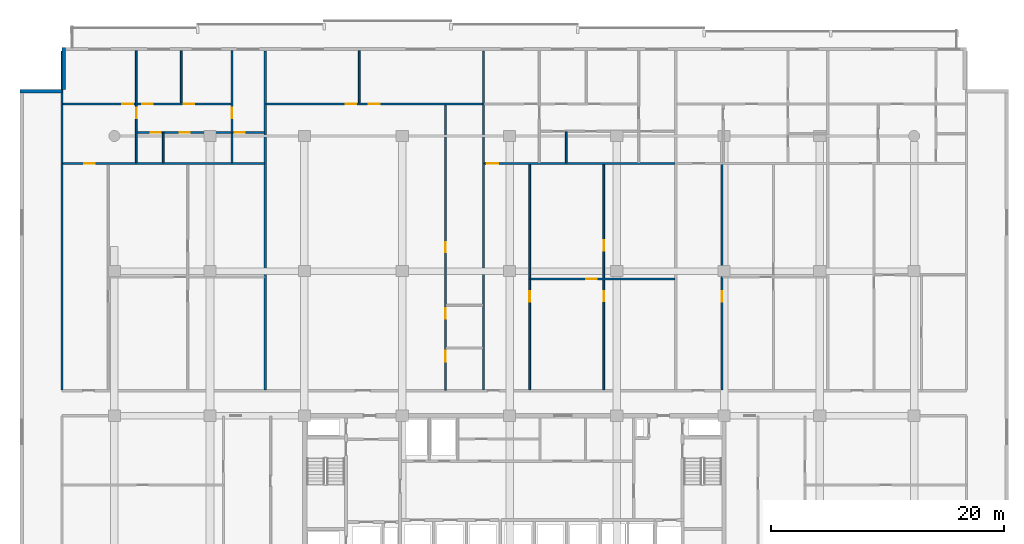
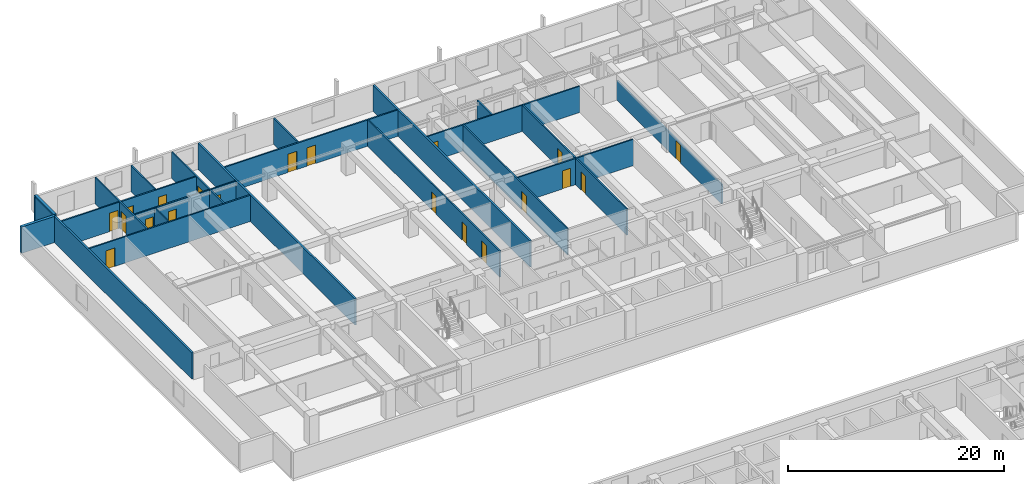
# One storey, part 14 of 23: 22 walls, 20 doors, 20 openings.
"""IFC4 building model written with IfcOpenShell, lengths in metres."""

import ifcopenshell
import ifcopenshell.guid

model = None  # the IFC model being written
_history = None  # IfcOwnerHistory: only IFC2X3 demands one
_inside = {}  # id of a spatial element -> (the spatial element, [elements in it])
_under = {}  # id of a project, library or spatial element -> (it, [spatial elements below it])
_declared = {}  # id of a project -> (the project, [libraries it declares])
_typed = {}  # id of a type object -> (the type object, [elements of that type])
_made_of = {}  # id of a material, layer set ... -> (it, [elements and type objects made of it])


def new_model(schema):
    """Start an empty IFC model of exactly this schema.

    Asked for "IFC4X3", IfcOpenShell would pick the latest addendum, in which some entities
    have other attributes; the version numbers below select the first issue.
    IFC2X3 requires an IfcOwnerHistory on every rooted entity: one is made here for all.
    """
    global model, _history
    if schema == "IFC4X3":
        model = ifcopenshell.file(schema_version=(4, 3, 0, 0))
    else:
        model = ifcopenshell.file(schema=schema)
    _inside.clear()
    _under.clear()
    _declared.clear()
    _typed.clear()
    _made_of.clear()
    _history = None
    if model.schema == "IFC2X3":
        org = make("IfcOrganization", Name="unknown")
        user = make(
            "IfcPersonAndOrganization",
            ThePerson=make("IfcPerson", FamilyName="unknown"),
            TheOrganization=org,
        )
        app = make(
            "IfcApplication",
            ApplicationDeveloper=org,
            Version="unknown",
            ApplicationFullName="unknown",
            ApplicationIdentifier="unknown",
        )
        _history = make(
            "IfcOwnerHistory",
            OwningUser=user,
            OwningApplication=app,
            ChangeAction="ADDED",
            CreationDate=0,
        )
    return model


def make(cls, **values):
    """One entity of the class cls with the attributes given. An attribute that is None is left unset."""
    return model.create_entity(
        cls, **{name: value for name, value in values.items() if value is not None}
    )


def rooted(cls, **values):
    """An entity with a GlobalId (a new one), such as an element, a storey or a relation."""
    return make(cls, GlobalId=ifcopenshell.guid.new(), OwnerHistory=_history, **values)


def si_unit(unit_type, name, prefix=None):
    """IfcSIUnit, for example si_unit("LENGTHUNIT", "METRE", prefix="MILLI")."""
    return make("IfcSIUnit", UnitType=unit_type, Prefix=prefix, Name=name)


def assignment(units):
    """IfcUnitAssignment: the units of a project."""
    return None if units is None else make("IfcUnitAssignment", Units=units)


def point(xyz):
    """IfcCartesianPoint."""
    return None if xyz is None else make("IfcCartesianPoint", Coordinates=xyz)


def direction(xyz):
    """IfcDirection."""
    return None if xyz is None else make("IfcDirection", DirectionRatios=xyz)


def frame(location, z_axis=None, x_axis=None):
    """IfcAxis2Placement3D, a coordinate frame: its origin and axes. An axis left out is left unset."""
    return make(
        "IfcAxis2Placement3D",
        Location=point(location),
        Axis=direction(z_axis),
        RefDirection=direction(x_axis),
    )


def frame_2d(location, x_axis=None):
    """IfcAxis2Placement2D, a coordinate frame in the plane: its origin and x axis."""
    return make(
        "IfcAxis2Placement2D", Location=point(location), RefDirection=direction(x_axis)
    )


def origin():
    """The frame at (0, 0, 0) with its axes left unset."""
    return frame((0.0, 0.0, 0.0))


def place(relative_to, where):
    """IfcLocalPlacement: puts the frame where relative to a parent placement (None: the world)."""
    return make(
        "IfcLocalPlacement", PlacementRelTo=relative_to, RelativePlacement=where
    )


def context(
    kind, dimensions, precision=None, world=None, true_north=None, identifier=None
):
    """IfcGeometricRepresentationContext, for example the 3D "Model" context."""
    return make(
        "IfcGeometricRepresentationContext",
        ContextIdentifier=identifier,
        ContextType=kind,
        CoordinateSpaceDimension=dimensions,
        Precision=precision,
        WorldCoordinateSystem=world,
        TrueNorth=true_north,
    )


def subcontext(parent, identifier, kind, view, scale=None):
    """IfcGeometricRepresentationSubContext, for example "Body" below "Model"."""
    return make(
        "IfcGeometricRepresentationSubContext",
        ContextIdentifier=identifier,
        ContextType=kind,
        ParentContext=parent,
        TargetScale=scale,
        TargetView=view,
    )


def project(units=None, contexts=None):
    """IfcProject with its units and contexts."""
    return rooted(
        "IfcProject",
        Name="project",
        RepresentationContexts=contexts,
        UnitsInContext=assignment(units),
    )


def spatial(cls, under=None, at=None, **own):
    """A site, building, storey or space (cls), placed at a placement, below another one or the project."""
    s = rooted(cls, ObjectPlacement=at, **own)
    if under is not None:
        _under.setdefault(under.id(), (under, []))[1].append(s)
    return s


def profile(cls, at=None, kind="AREA", **sizes):
    """A parametric profile (cls). Its sizes go by their IFC names, for example OverallWidth=200.0."""
    return make(cls, ProfileType=kind, Position=at, **sizes)


def rectangle(**sizes):
    """IfcRectangleProfileDef."""
    return profile("IfcRectangleProfileDef", **sizes)


def extrude(swept, where, along, depth):
    """IfcExtrudedAreaSolid: the profile swept, set in the frame where, extruded along a direction by depth."""
    return make(
        "IfcExtrudedAreaSolid",
        SweptArea=swept,
        Position=where,
        ExtrudedDirection=direction(along),
        Depth=depth,
    )


def shape(context_of_items, identifier, shape_type, items):
    """IfcShapeRepresentation: the items that make up one representation, for example the "Body"."""
    return make(
        "IfcShapeRepresentation",
        ContextOfItems=context_of_items,
        RepresentationIdentifier=identifier,
        RepresentationType=shape_type,
        Items=items,
    )


def material(Name=None, Category=None):
    """IfcMaterial."""
    return make("IfcMaterial", Name=Name, Category=Category)


def layer(
    of_material, thickness, ventilated=None, Name=None, Category=None, Priority=None
):
    """IfcMaterialLayer: one layer of a wall or slab, of a material (None: an air gap)."""
    return make(
        "IfcMaterialLayer",
        Material=of_material,
        LayerThickness=thickness,
        IsVentilated=ventilated,
        Name=Name,
        Category=Category,
        Priority=Priority,
    )


def layer_set(layers, Name=None):
    """IfcMaterialLayerSet."""
    return make("IfcMaterialLayerSet", MaterialLayers=layers, LayerSetName=Name)


def made_of(thing, what):
    """Note that an element or type object is made of a material, layer set ...; save() writes the relation."""
    if what is not None:
        _made_of.setdefault(what.id(), (what, []))[1].append(thing)
    return thing


def type_object(cls, material=None, **own):
    """A type object (cls), such as IfcWallType, which elements share."""
    return made_of(rooted(cls, **own), material)


def element(
    cls,
    number,
    at=None,
    inside=None,
    cuts=None,
    type_object=None,
    material=None,
    context=None,
    identifier="Body",
    shape_type=None,
    held_by="IfcProductDefinitionShape",
    body=None,
    shapes=None,
    **own,
):
    """One element of the class cls, such as IfcWall. Its Tag is "e" and its number.

    at: its placement. inside: the storey or other place that contains it. cuts: it is an
    opening in that element (IfcRelVoidsElement). A single representation is given by context,
    identifier, shape_type and body (its items); several are given by shapes. held_by: the class
    of the entity that holds the representations. save() writes the other relations.
    """
    e = rooted(cls, Tag="e%d" % number, ObjectPlacement=at, **own)
    if body is not None:
        shapes = [shape(context, identifier, shape_type, body)]
    if shapes is not None:
        e.Representation = make(held_by, Representations=shapes)
    if inside is not None:
        _inside.setdefault(inside.id(), (inside, []))[1].append(e)
    if cuts is not None:
        rooted(
            "IfcRelVoidsElement", RelatingBuildingElement=cuts, RelatedOpeningElement=e
        )
    if type_object is not None:
        _typed.setdefault(type_object.id(), (type_object, []))[1].append(e)
    return made_of(e, material)


def fill(opening, filler):
    """IfcRelFillsElement: the door or window that sits in an opening."""
    return rooted(
        "IfcRelFillsElement",
        RelatingOpeningElement=opening,
        RelatedBuildingElement=filler,
    )


def aggregate(whole, parts):
    """IfcRelAggregates: a whole, such as a stair, and the parts it consists of."""
    return rooted("IfcRelAggregates", RelatingObject=whole, RelatedObjects=parts)


def save(model, path):
    """Write the relations noted so far, then the file.

    IfcRelAggregates (storeys below a building ...), IfcRelContainedInSpatialStructure (elements
    in a storey), IfcRelDefinesByType, IfcRelAssociatesMaterial and IfcRelDeclares: one each for
    every whole, place, type object, material and project.
    """
    for whole, parts in _under.values():
        aggregate(whole, parts)
    for where, things in _inside.values():
        rooted(
            "IfcRelContainedInSpatialStructure",
            RelatedElements=things,
            RelatingStructure=where,
        )
    for kind, things in _typed.values():
        rooted("IfcRelDefinesByType", RelatedObjects=things, RelatingType=kind)
    for what, things in _made_of.values():
        rooted("IfcRelAssociatesMaterial", RelatedObjects=things, RelatingMaterial=what)
    for by, libraries in _declared.values():
        rooted("IfcRelDeclares", RelatingContext=by, RelatedDefinitions=libraries)
    model.write(path)


model = new_model("IFC4")

# Units and contexts
model_context = context("Model", 3, precision=1e-05, world=origin(), true_north=direction((0.0, 1.0)))
body_context = subcontext(model_context, "Body", "Model", "MODEL_VIEW")
ifc_project = project(units=[si_unit("LENGTHUNIT", "METRE"), si_unit("AREAUNIT", "SQUARE_METRE"), si_unit("VOLUMEUNIT", "CUBIC_METRE"), si_unit("PLANEANGLEUNIT", "RADIAN"), si_unit("MASSUNIT", "GRAM", prefix="KILO")], contexts=[model_context])

# Site, building, storey
site_placement = place(None, origin())
site = spatial("IfcSite", under=ifc_project, at=site_placement, CompositionType="ELEMENT")
building_placement = place(site_placement, origin())
building = spatial("IfcBuilding", under=site, at=building_placement, Name="Korimba Cascade Residences", CompositionType="ELEMENT")
storey_placement = place(building_placement, frame((0.0, 0.0, 72.75)))
storey = spatial("IfcBuildingStorey", under=building, at=storey_placement, Name="L20", CompositionType="ELEMENT", Elevation=72.75)

# Walls
ifc_material_1 = material(Name="Precast concrete C40/50", Category="concrete")
ifc_layer_1 = layer(ifc_material_1, 0.300048828125)
ifc_layer_set_1 = layer_set([ifc_layer_1], Name="Precast concrete C40/50")
wall_type_1 = type_object("IfcWallType", Name="EW-STONE-300", PredefinedType="STANDARD", material=ifc_layer_set_1)
for number, where, z_axis, x_axis, name in (
    (1, (55.449951171875, 98.800048828125, 0.0), (0.0, 0.0, 1.0), (0.0, -1.0, 0.0), "L20 T1 Perimeter Stone Wall E07"),
    (2, (55.300048828125, 95.050048828125, 0.0), (0.0, 0.0, 1.0), (-1.0, 0.0, 0.0), "L20 T1 Perimeter Stone Wall E08"),
):
    element("IfcWall", number, at=place(storey_placement, frame(where, z_axis=z_axis, x_axis=x_axis)), inside=storey, type_object=wall_type_1, Name=name, PredefinedType="STANDARD", context=body_context, shape_type="SweptSolid", body=[
        extrude(rectangle(XDim=3.60009765625, YDim=0.300048828125, at=frame_2d((1.800048828125, 0.0))), origin(), (0.0, 0.0, 1.0), 2.969970703125),
    ])
ifc_layer_2 = layer(ifc_material_1, 0.199951171875)
ifc_layer_set_2 = layer_set([ifc_layer_2], Name="Precast concrete C40/50")
wall_type_2 = type_object("IfcWallType", Name="WAL-IT-200", PredefinedType="PARTITIONING", material=ifc_layer_set_2)
for number, where, z_axis, x_axis, name in (
    (3, (55.300048828125, 69.429931640625, 0.0), (0.0, 0.0, 1.0), (0.0, 1.0, 0.0), "L20 Partition Wall WAL-L20-T1-BNDWL"),
    (4, (72.734130859375, 69.429931640625, 0.0), (0.0, 0.0, 1.0), (0.0, 1.0, 0.0), "L20 Partition Wall WAL-L20-T1-DEM-1"),
    (5, (91.4609375, 69.429931640625, 0.0), (0.0, 0.0, 1.0), (0.0, 1.0, 0.0), "L20 Partition Wall WAL-L20-T1-DEM-2"),
):
    element("IfcWall", number, at=place(storey_placement, frame(where, z_axis=z_axis, x_axis=x_axis)), inside=storey, type_object=wall_type_2, Name=name, PredefinedType="PARTITIONING", context=body_context, shape_type="SweptSolid", body=[
        extrude(rectangle(XDim=29.070068359375, YDim=0.199951171875, at=frame_2d((14.53515625, 0.0))), origin(), (0.0, 0.0, 1.0), 2.969970703125),
    ])
ifc_material_2 = material(Name="Insulated Acoustic Stud Partition", Category="gypsum")
ifc_layer_3 = layer(ifc_material_2, 0.14990234375)
ifc_layer_set_3 = layer_set([ifc_layer_3], Name="Insulated Acoustic Stud Partition")
wall_type_3 = type_object("IfcWallType", Name="WAL-PART-150", PredefinedType="PARTITIONING", material=ifc_layer_set_3)
wall_1_placement = place(storey_placement, frame((63.989990234375, 88.889892578125, 0.0), z_axis=(0.0, 0.0, 1.0), x_axis=(0.0, 1.0, 0.0)))
element("IfcWall", 6, at=wall_1_placement, inside=storey, type_object=wall_type_3, Name="L20 Partition Wall WAL-L20-T1-U01-VDRS", PredefinedType="PARTITIONING", context=body_context, shape_type="SweptSolid", body=[
    extrude(rectangle(XDim=2.580078125, YDim=0.14990234375, at=frame_2d((1.2900390625, 0.0))), origin(), (0.0, 0.0, 1.0), 2.969970703125),
])
wall_2_placement = place(storey_placement, frame((65.530029296875, 94.030029296875, 0.0), z_axis=(0.0, 0.0, 1.0), x_axis=(0.0, 1.0, 0.0)))
element("IfcWall", 7, at=wall_2_placement, inside=storey, type_object=wall_type_3, Name="L20 Partition Wall WAL-L20-T1-U01-VSTD", PredefinedType="PARTITIONING", context=body_context, shape_type="SweptSolid", body=[
    extrude(rectangle(XDim=4.469970703125, YDim=0.14990234375, at=frame_2d((2.23486328125, 0.0))), origin(), (0.0, 0.0, 1.0), 2.969970703125),
])

# Wall, opening, door
wall_3_placement = place(storey_placement, frame((61.679931640625, 88.889892578125, 0.0), z_axis=(0.0, 0.0, 1.0), x_axis=(0.0, 1.0, 0.0)))
wall_3 = element("IfcWall", 8, at=wall_3_placement, inside=storey, type_object=wall_type_3, Name="L20 Partition Wall WAL-L20-T1-U01-V1", PredefinedType="PARTITIONING", context=body_context, shape_type="SweptSolid", body=[
    extrude(rectangle(XDim=9.610107421875, YDim=0.14990234375, at=frame_2d((4.80517578125, 0.0))), origin(), (0.0, 0.0, 1.0), 2.969970703125),
])
opening_1_placement = place(wall_3_placement, frame((3.820068359375, 0.0, 0.0)))
opening_1 = element("IfcOpeningElement", 9, at=opening_1_placement, cuts=wall_3, Name="Opening D-IN1", PredefinedType="OPENING", context=body_context, shape_type="SweptSolid", body=[
    extrude(rectangle(XDim=0.919921875, YDim=2.080078125, at=frame_2d((0.4599609375, 1.0400390625))), frame((0.0, 0.0849609375, 0.0), z_axis=(0.0, -1.0, 0.0), x_axis=(1.0, 0.0, 0.0)), (0.0, 0.0, 1.0), 0.169921875),
])
ifc_material_3 = material(Name="Acoustic Timber Living Door", Category="wood")
door_type_1 = type_object("IfcDoorType", Name="DR-INT-920", OperationType="NOTDEFINED", PredefinedType="DOOR", material=ifc_material_3)
door_1_placement = place(opening_1_placement, origin())
door_1 = element("IfcDoor", 10, at=door_1_placement, inside=storey, type_object=door_type_1, Name="L20-T1-U01 Hallway Door", OperationType="SINGLE_SWING_LEFT", OverallHeight=2.080078125, OverallWidth=0.919921875, PredefinedType="DOOR", context=body_context, shape_type="SweptSolid", body=[
    extrude(rectangle(XDim=0.919921875, YDim=2.080078125, at=frame_2d((0.4599609375, 1.0400390625))), frame((0.0, 0.02490234375, 0.0), z_axis=(0.0, -1.0, 0.0), x_axis=(1.0, 0.0, 0.0)), (0.0, 0.0, 1.0), 0.050048828125),
])
fill(opening_1, door_1)

# Wall
wall_4_placement = place(storey_placement, frame((69.8798828125, 88.889892578125, 0.0), z_axis=(0.0, 0.0, 1.0), x_axis=(0.0, 1.0, 0.0)))
element("IfcWall", 11, at=wall_4_placement, inside=storey, type_object=wall_type_3, Name="L20 Partition Wall WAL-L20-T1-U01-VBATH", PredefinedType="PARTITIONING", context=body_context, shape_type="SweptSolid", body=[
    extrude(rectangle(XDim=2.580078125, YDim=0.14990234375, at=frame_2d((1.2900390625, 0.0))), origin(), (0.0, 0.0, 1.0), 2.969970703125),
])

# Wall, opening, door
wall_5_placement = place(storey_placement, frame((69.8798828125, 91.510009765625, 0.0), z_axis=(0.0, 0.0, 1.0), x_axis=(0.0, 1.0, 0.0)))
wall_5 = element("IfcWall", 12, at=wall_5_placement, inside=storey, type_object=wall_type_3, Name="L20 Partition Wall WAL-L20-T1-U01-V2FULL", PredefinedType="PARTITIONING", context=body_context, shape_type="SweptSolid", body=[
    extrude(rectangle(XDim=6.989990234375, YDim=0.14990234375, at=frame_2d((3.4951171875, 0.0))), origin(), (0.0, 0.0, 1.0), 2.969970703125),
])
opening_2_placement = place(wall_5_placement, frame((1.199951171875, 0.0, 0.0)))
opening_2 = element("IfcOpeningElement", 13, at=opening_2_placement, cuts=wall_5, Name="Opening D-IN1", PredefinedType="OPENING", context=body_context, shape_type="SweptSolid", body=[
    extrude(rectangle(XDim=0.919921875, YDim=2.080078125, at=frame_2d((0.4599609375, 1.0400390625))), frame((0.0, 0.0849609375, 0.0), z_axis=(0.0, -1.0, 0.0), x_axis=(1.0, 0.0, 0.0)), (0.0, 0.0, 1.0), 0.169921875),
])
door_2_placement = place(opening_2_placement, origin())
door_2 = element("IfcDoor", 14, at=door_2_placement, inside=storey, type_object=door_type_1, Name="L20-T1-U01 Master Bedroom Door", OperationType="SINGLE_SWING_RIGHT", OverallHeight=2.080078125, OverallWidth=0.919921875, PredefinedType="DOOR", context=body_context, shape_type="SweptSolid", body=[
    extrude(rectangle(XDim=0.919921875, YDim=2.080078125, at=frame_2d((0.4599609375, 1.0400390625))), frame((0.0, 0.02490234375, 0.0), z_axis=(0.0, -1.0, 0.0), x_axis=(1.0, 0.0, 0.0)), (0.0, 0.0, 1.0), 0.050048828125),
])
fill(opening_2, door_2)

# Wall, openings, doors
wall_6_placement = place(storey_placement, frame((61.719970703125, 91.489990234375, 0.0), z_axis=(0.0, 0.0, 1.0), x_axis=(1.0, 0.0, 0.0)))
wall_6 = element("IfcWall", 15, at=wall_6_placement, inside=storey, type_object=wall_type_3, Name="L20 Partition Wall WAL-L20-T1-U01-HWALL", PredefinedType="PARTITIONING", context=body_context, shape_type="SweptSolid", body=[
    extrude(rectangle(XDim=10.93408203125, YDim=0.14990234375, at=frame_2d((5.467041015625, 0.0))), origin(), (0.0, 0.0, 1.0), 2.969970703125),
])
opening_3_placement = place(wall_6_placement, frame((1.2099609375, 0.0, 0.0)))
opening_3 = element("IfcOpeningElement", 16, at=opening_3_placement, cuts=wall_6, Name="Opening D-BT1", PredefinedType="OPENING", context=body_context, shape_type="SweptSolid", body=[
    extrude(rectangle(XDim=0.840087890625, YDim=2.0400390625, at=frame_2d((0.419921875, 1.02001953125))), frame((0.0, 0.0849609375, 0.0), z_axis=(0.0, -1.0, 0.0), x_axis=(1.0, 0.0, 0.0)), (0.0, 0.0, 1.0), 0.169921875),
])
opening_4_placement = place(wall_6_placement, frame((3.688720703125, 0.0, 0.0)))
opening_4 = element("IfcOpeningElement", 17, at=opening_4_placement, cuts=wall_6, Name="Opening D-BT1", PredefinedType="OPENING", context=body_context, shape_type="SweptSolid", body=[
    extrude(rectangle(XDim=0.840087890625, YDim=2.0400390625, at=frame_2d((0.419921875, 1.02001953125))), frame((0.0, 0.0849609375, 0.0), z_axis=(0.0, -1.0, 0.0), x_axis=(1.0, 0.0, 0.0)), (0.0, 0.0, 1.0), 0.169921875),
])
opening_5_placement = place(wall_6_placement, frame((8.409912109375, 0.0, 0.0)))
opening_5 = element("IfcOpeningElement", 18, at=opening_5_placement, cuts=wall_6, Name="Opening D-BT1", PredefinedType="OPENING", context=body_context, shape_type="SweptSolid", body=[
    extrude(rectangle(XDim=0.840087890625, YDim=2.0400390625, at=frame_2d((0.419921875, 1.02001953125))), frame((0.0, 0.0849609375, 0.0), z_axis=(0.0, -1.0, 0.0), x_axis=(1.0, 0.0, 0.0)), (0.0, 0.0, 1.0), 0.169921875),
])
ifc_material_4 = material(Name="Moisture-Resistant Bathroom Timber Door", Category="wood")
door_type_2 = type_object("IfcDoorType", Name="DR-INT-850", OperationType="NOTDEFINED", PredefinedType="DOOR", material=ifc_material_4)
door_3_placement = place(opening_3_placement, origin())
door_3 = element("IfcDoor", 19, at=door_3_placement, inside=storey, type_object=door_type_2, Name="L20-T1-U01 Family Bathroom Door", OperationType="SINGLE_SWING_LEFT", OverallHeight=2.0400390625, OverallWidth=0.840087890625, PredefinedType="DOOR", context=body_context, shape_type="SweptSolid", body=[
    extrude(rectangle(XDim=0.840087890625, YDim=2.0400390625, at=frame_2d((0.419921875, 1.02001953125))), frame((0.0, 0.02490234375, 0.0), z_axis=(0.0, -1.0, 0.0), x_axis=(1.0, 0.0, 0.0)), (0.0, 0.0, 1.0), 0.050048828125),
])
fill(opening_3, door_3)
door_4_placement = place(opening_4_placement, origin())
door_4 = element("IfcDoor", 20, at=door_4_placement, inside=storey, type_object=door_type_2, Name="L20-T1-U01 Dressing Room Door", OperationType="SINGLE_SWING_RIGHT", OverallHeight=2.0400390625, OverallWidth=0.840087890625, PredefinedType="DOOR", context=body_context, shape_type="SweptSolid", body=[
    extrude(rectangle(XDim=0.840087890625, YDim=2.0400390625, at=frame_2d((0.419921875, 1.02001953125))), frame((0.0, 0.02490234375, 0.0), z_axis=(0.0, -1.0, 0.0), x_axis=(1.0, 0.0, 0.0)), (0.0, 0.0, 1.0), 0.050048828125),
])
fill(opening_4, door_4)
door_5_placement = place(opening_5_placement, origin())
door_5 = element("IfcDoor", 21, at=door_5_placement, inside=storey, type_object=door_type_2, Name="L20-T1-U01 En-Suite Door", OperationType="SINGLE_SWING_LEFT", OverallHeight=2.0400390625, OverallWidth=0.840087890625, PredefinedType="DOOR", context=body_context, shape_type="SweptSolid", body=[
    extrude(rectangle(XDim=0.840087890625, YDim=2.0400390625, at=frame_2d((0.419921875, 1.02001953125))), frame((0.0, 0.02490234375, 0.0), z_axis=(0.0, -1.0, 0.0), x_axis=(1.0, 0.0, 0.0)), (0.0, 0.0, 1.0), 0.050048828125),
])
fill(opening_5, door_5)

# Wall, opening, door
wall_7_placement = place(storey_placement, frame((55.3798828125, 88.85009765625, 0.0), z_axis=(0.0, 0.0, 1.0), x_axis=(1.0, 0.0, 0.0)))
wall_7 = element("IfcWall", 22, at=wall_7_placement, inside=storey, type_object=wall_type_3, Name="L20 Partition Wall WAL-L20-T1-U01-MW", PredefinedType="PARTITIONING", context=body_context, shape_type="SweptSolid", body=[
    extrude(rectangle(XDim=17.274169921875, YDim=0.14990234375, at=frame_2d((8.63720703125, 0.0))), origin(), (0.0, 0.0, 1.0), 2.969970703125),
])
opening_6_placement = place(wall_7_placement, frame((1.830810546875, 0.0, 0.0)))
opening_6 = element("IfcOpeningElement", 23, at=opening_6_placement, cuts=wall_7, Name="Opening D-IN1", PredefinedType="OPENING", context=body_context, shape_type="SweptSolid", body=[
    extrude(rectangle(XDim=0.919921875, YDim=2.080078125, at=frame_2d((0.4599609375, 1.0400390625))), frame((0.0, 0.0849609375, 0.0), z_axis=(0.0, -1.0, 0.0), x_axis=(1.0, 0.0, 0.0)), (0.0, 0.0, 1.0), 0.169921875),
])
door_6_placement = place(opening_6_placement, origin())
door_6 = element("IfcDoor", 24, at=door_6_placement, inside=storey, type_object=door_type_1, Name="L20-T1-U01 Kitchen Door", OperationType="SINGLE_SWING_RIGHT", OverallHeight=2.080078125, OverallWidth=0.919921875, PredefinedType="DOOR", context=body_context, shape_type="SweptSolid", body=[
    extrude(rectangle(XDim=0.919921875, YDim=2.080078125, at=frame_2d((0.4599609375, 1.0400390625))), frame((0.0, 0.02490234375, 0.0), z_axis=(0.0, -1.0, 0.0), x_axis=(1.0, 0.0, 0.0)), (0.0, 0.0, 1.0), 0.050048828125),
])
fill(opening_6, door_6)

# Wall, openings, doors
wall_8_placement = place(storey_placement, frame((55.3798828125, 93.949951171875, 0.0), z_axis=(0.0, 0.0, 1.0), x_axis=(1.0, 0.0, 0.0)))
wall_8 = element("IfcWall", 25, at=wall_8_placement, inside=storey, type_object=wall_type_3, Name="L20 Partition Wall WAL-L20-T1-U01-HZ", PredefinedType="PARTITIONING", context=body_context, shape_type="SweptSolid", body=[
    extrude(rectangle(XDim=14.5, YDim=0.14990234375, at=frame_2d((7.25, 0.0))), origin(), (0.0, 0.0, 1.0), 2.969970703125),
])
opening_7_placement = place(wall_8_placement, frame((5.110107421875, 0.0, 0.0)))
opening_7 = element("IfcOpeningElement", 26, at=opening_7_placement, cuts=wall_8, Name="Opening D-IN0", PredefinedType="OPENING", context=body_context, shape_type="SweptSolid", body=[
    extrude(rectangle(XDim=0.93994140625, YDim=2.10009765625, at=frame_2d((0.469970703125, 1.050048828125))), frame((0.0, 0.0849609375, 0.0), z_axis=(0.0, -1.0, 0.0), x_axis=(1.0, 0.0, 0.0)), (0.0, 0.0, 1.0), 0.169921875),
])
opening_8_placement = place(wall_8_placement, frame((6.81005859375, 0.0, 0.0)))
opening_8 = element("IfcOpeningElement", 27, at=opening_8_placement, cuts=wall_8, Name="Opening D-IN2", PredefinedType="OPENING", context=body_context, shape_type="SweptSolid", body=[
    extrude(rectangle(XDim=0.8798828125, YDim=2.06005859375, at=frame_2d((0.43994140625, 1.030029296875))), frame((0.0, 0.0849609375, 0.0), z_axis=(0.0, -1.0, 0.0), x_axis=(1.0, 0.0, 0.0)), (0.0, 0.0, 1.0), 0.169921875),
])
opening_9_placement = place(wall_8_placement, frame((10.3701171875, 0.0, 0.0)))
opening_9 = element("IfcOpeningElement", 28, at=opening_9_placement, cuts=wall_8, Name="Opening D-IN2", PredefinedType="OPENING", context=body_context, shape_type="SweptSolid", body=[
    extrude(rectangle(XDim=0.8798828125, YDim=2.06005859375, at=frame_2d((0.43994140625, 1.030029296875))), frame((0.0, 0.0849609375, 0.0), z_axis=(0.0, -1.0, 0.0), x_axis=(1.0, 0.0, 0.0)), (0.0, 0.0, 1.0), 0.169921875),
])
ifc_material_5 = material(Name="Acoustic Timber Bedroom Door", Category="wood")
door_type_3 = type_object("IfcDoorType", Name="DR-INT-880", OperationType="NOTDEFINED", PredefinedType="DOOR", material=ifc_material_5)
door_7_placement = place(opening_8_placement, origin())
door_7 = element("IfcDoor", 29, at=door_7_placement, inside=storey, type_object=door_type_3, Name="L20-T1-U01 Bedroom 2 Door", OperationType="SINGLE_SWING_RIGHT", OverallHeight=2.06005859375, OverallWidth=0.8798828125, PredefinedType="DOOR", context=body_context, shape_type="SweptSolid", body=[
    extrude(rectangle(XDim=0.8798828125, YDim=2.06005859375, at=frame_2d((0.43994140625, 1.030029296875))), frame((0.0, 0.02490234375, 0.0), z_axis=(0.0, -1.0, 0.0), x_axis=(1.0, 0.0, 0.0)), (0.0, 0.0, 1.0), 0.050048828125),
])
fill(opening_8, door_7)
door_8_placement = place(opening_9_placement, origin())
door_8 = element("IfcDoor", 30, at=door_8_placement, inside=storey, type_object=door_type_3, Name="L20-T1-U01 Study Door", OperationType="SINGLE_SWING_LEFT", OverallHeight=2.06005859375, OverallWidth=0.8798828125, PredefinedType="DOOR", context=body_context, shape_type="SweptSolid", body=[
    extrude(rectangle(XDim=0.8798828125, YDim=2.06005859375, at=frame_2d((0.43994140625, 1.030029296875))), frame((0.0, 0.02490234375, 0.0), z_axis=(0.0, -1.0, 0.0), x_axis=(1.0, 0.0, 0.0)), (0.0, 0.0, 1.0), 0.050048828125),
])
fill(opening_9, door_8)
ifc_material_6 = material(Name="Acoustic Timber Living Archway Door", Category="wood")
door_type_4 = type_object("IfcDoorType", Name="DR-INT-950", OperationType="NOTDEFINED", PredefinedType="DOOR", material=ifc_material_6)
door_9_placement = place(opening_7_placement, origin())
door_9 = element("IfcDoor", 31, at=door_9_placement, inside=storey, type_object=door_type_4, Name="L20-T1-U01 Living Room Door", OperationType="SINGLE_SWING_LEFT", OverallHeight=2.10009765625, OverallWidth=0.93994140625, PredefinedType="DOOR", context=body_context, shape_type="SweptSolid", body=[
    extrude(rectangle(XDim=0.93994140625, YDim=2.10009765625, at=frame_2d((0.469970703125, 1.050048828125))), frame((0.0, 0.02490234375, 0.0), z_axis=(0.0, -1.0, 0.0), x_axis=(1.0, 0.0, 0.0)), (0.0, 0.0, 1.0), 0.050048828125),
])
fill(opening_7, door_9)

wall_9_placement = place(storey_placement, frame((88.19091796875, 69.409912109375, 0.0), z_axis=(0.0, 0.0, 1.0), x_axis=(0.0, 1.0, 0.0)))
wall_9 = element("IfcWall", 32, at=wall_9_placement, inside=storey, type_object=wall_type_3, Name="L20 Partition Wall WAL-L20-T1-U02-WCV", PredefinedType="PARTITIONING", context=body_context, shape_type="SweptSolid", body=[
    extrude(rectangle(XDim=24.47998046875, YDim=0.14990234375, at=frame_2d((12.239990234375, 0.0))), origin(), (0.0, 0.0, 1.0), 2.969970703125),
])
opening_10_placement = place(wall_9_placement, frame((2.406005859375, 0.0, 0.0)))
opening_10 = element("IfcOpeningElement", 33, at=opening_10_placement, cuts=wall_9, Name="Opening D-AC1", PredefinedType="OPENING", context=body_context, shape_type="SweptSolid", body=[
    extrude(rectangle(XDim=0.9599609375, YDim=2.10009765625, at=frame_2d((0.47998046875, 1.050048828125))), frame((0.0, 0.0849609375, 0.0), z_axis=(0.0, -1.0, 0.0), x_axis=(1.0, 0.0, 0.0)), (0.0, 0.0, 1.0), 0.169921875),
])
opening_11_placement = place(wall_9_placement, frame((6.132568359375, 0.0, 0.0)))
opening_11 = element("IfcOpeningElement", 34, at=opening_11_placement, cuts=wall_9, Name="Opening D-IN2", PredefinedType="OPENING", context=body_context, shape_type="SweptSolid", body=[
    extrude(rectangle(XDim=0.8798828125, YDim=2.06005859375, at=frame_2d((0.43994140625, 1.030029296875))), frame((0.0, 0.0849609375, 0.0), z_axis=(0.0, -1.0, 0.0), x_axis=(1.0, 0.0, 0.0)), (0.0, 0.0, 1.0), 0.169921875),
])
opening_12_placement = place(wall_9_placement, frame((11.820068359375, 0.0, 0.0)))
opening_12 = element("IfcOpeningElement", 35, at=opening_12_placement, cuts=wall_9, Name="Opening D-BT1", PredefinedType="OPENING", context=body_context, shape_type="SweptSolid", body=[
    extrude(rectangle(XDim=0.840087890625, YDim=2.0400390625, at=frame_2d((0.419921875, 1.02001953125))), frame((0.0, 0.0849609375, 0.0), z_axis=(0.0, -1.0, 0.0), x_axis=(1.0, 0.0, 0.0)), (0.0, 0.0, 1.0), 0.169921875),
])
ifc_material_7 = material(Name="Accessible Acoustic Timber WC Door", Category="wood")
door_type_5 = type_object("IfcDoorType", Name="DR-ACC-950", OperationType="NOTDEFINED", PredefinedType="DOOR", material=ifc_material_7)
door_10_placement = place(opening_10_placement, origin())
door_10 = element("IfcDoor", 36, at=door_10_placement, inside=storey, type_object=door_type_5, Name="L20-T1-U02 Accessible WC Door", OperationType="SINGLE_SWING_RIGHT", OverallHeight=2.10009765625, OverallWidth=0.9599609375, PredefinedType="DOOR", context=body_context, shape_type="SweptSolid", body=[
    extrude(rectangle(XDim=0.9599609375, YDim=2.10009765625, at=frame_2d((0.47998046875, 1.050048828125))), frame((0.0, 0.02490234375, 0.0), z_axis=(0.0, -1.0, 0.0), x_axis=(1.0, 0.0, 0.0)), (0.0, 0.0, 1.0), 0.050048828125),
])
fill(opening_10, door_10)
door_11_placement = place(opening_12_placement, origin())
door_11 = element("IfcDoor", 37, at=door_11_placement, inside=storey, type_object=door_type_2, Name="L20-T1-U02 Suite Store Door", OperationType="SINGLE_SWING_RIGHT", OverallHeight=2.0400390625, OverallWidth=0.840087890625, PredefinedType="DOOR", context=body_context, shape_type="SweptSolid", body=[
    extrude(rectangle(XDim=0.840087890625, YDim=2.0400390625, at=frame_2d((0.419921875, 1.02001953125))), frame((0.0, 0.02490234375, 0.0), z_axis=(0.0, -1.0, 0.0), x_axis=(1.0, 0.0, 0.0)), (0.0, 0.0, 1.0), 0.050048828125),
])
fill(opening_12, door_11)
door_12_placement = place(opening_11_placement, origin())
door_12 = element("IfcDoor", 38, at=door_12_placement, inside=storey, type_object=door_type_3, Name="L20-T1-U02 Restroom WC Door", OperationType="SINGLE_SWING_LEFT", OverallHeight=2.06005859375, OverallWidth=0.8798828125, PredefinedType="DOOR", context=body_context, shape_type="SweptSolid", body=[
    extrude(rectangle(XDim=0.8798828125, YDim=2.06005859375, at=frame_2d((0.43994140625, 1.030029296875))), frame((0.0, 0.02490234375, 0.0), z_axis=(0.0, -1.0, 0.0), x_axis=(1.0, 0.0, 0.0)), (0.0, 0.0, 1.0), 0.050048828125),
])
fill(opening_11, door_12)

# Wall
wall_10_placement = place(storey_placement, frame((80.79248046875, 94.030029296875, 0.0), z_axis=(0.0, 0.0, 1.0), x_axis=(0.0, 1.0, 0.0)))
element("IfcWall", 39, at=wall_10_placement, inside=storey, type_object=wall_type_3, Name="L20 Partition Wall WAL-L20-T1-U02-OUTV", PredefinedType="PARTITIONING", context=body_context, shape_type="SweptSolid", body=[
    extrude(rectangle(XDim=4.469970703125, YDim=0.14990234375, at=frame_2d((2.23486328125, 0.0))), origin(), (0.0, 0.0, 1.0), 2.969970703125),
])

# Wall, openings, doors
wall_11_placement = place(storey_placement, frame((72.814208984375, 93.949951171875, 0.0), z_axis=(0.0, 0.0, 1.0), x_axis=(1.0, 0.0, 0.0)))
wall_11 = element("IfcWall", 40, at=wall_11_placement, inside=storey, type_object=wall_type_3, Name="L20 Partition Wall WAL-L20-T1-U02-HZ", PredefinedType="PARTITIONING", context=body_context, shape_type="SweptSolid", body=[
    extrude(rectangle(XDim=18.566650390625, YDim=0.14990234375, at=frame_2d((9.283203125, 0.0))), origin(), (0.0, 0.0, 1.0), 2.969970703125),
])
opening_13_placement = place(wall_11_placement, frame((6.808349609375, 0.0, 0.0)))
opening_13 = element("IfcOpeningElement", 41, at=opening_13_placement, cuts=wall_11, Name="Opening D-ST1", PredefinedType="OPENING", context=body_context, shape_type="SweptSolid", body=[
    extrude(rectangle(XDim=0.919921875, YDim=2.080078125, at=frame_2d((0.4599609375, 1.0400390625))), frame((0.0, 0.0849609375, 0.0), z_axis=(0.0, -1.0, 0.0), x_axis=(1.0, 0.0, 0.0)), (0.0, 0.0, 1.0), 0.169921875),
])
opening_14_placement = place(wall_11_placement, frame((8.823486328125, 0.0, 0.0)))
opening_14 = element("IfcOpeningElement", 42, at=opening_14_placement, cuts=wall_11, Name="Opening D-ST1", PredefinedType="OPENING", context=body_context, shape_type="SweptSolid", body=[
    extrude(rectangle(XDim=0.919921875, YDim=2.080078125, at=frame_2d((0.4599609375, 1.0400390625))), frame((0.0, 0.0849609375, 0.0), z_axis=(0.0, -1.0, 0.0), x_axis=(1.0, 0.0, 0.0)), (0.0, 0.0, 1.0), 0.169921875),
])
ifc_material_8 = material(Name="Fire-Rated Core Store Door", Category="wood")
door_type_6 = type_object("IfcDoorType", Name="DR-FD60-920", OperationType="NOTDEFINED", PredefinedType="DOOR", material=ifc_material_8)
door_13_placement = place(opening_13_placement, origin())
door_13 = element("IfcDoor", 43, at=door_13_placement, inside=storey, type_object=door_type_6, Name="L20-T1-U02 Sky Lobby Concierge Door", OperationType="SINGLE_SWING_LEFT", OverallHeight=2.080078125, OverallWidth=0.919921875, PredefinedType="DOOR", context=body_context, shape_type="SweptSolid", body=[
    extrude(rectangle(XDim=0.919921875, YDim=2.080078125, at=frame_2d((0.4599609375, 1.0400390625))), frame((0.0, 0.02490234375, 0.0), z_axis=(0.0, -1.0, 0.0), x_axis=(1.0, 0.0, 0.0)), (0.0, 0.0, 1.0), 0.050048828125),
])
fill(opening_13, door_13)
door_14_placement = place(opening_14_placement, origin())
door_14 = element("IfcDoor", 44, at=door_14_placement, inside=storey, type_object=door_type_6, Name="L20-T1-U02 Horizon Observation Atrium Door", OperationType="SINGLE_SWING_RIGHT", OverallHeight=2.080078125, OverallWidth=0.919921875, PredefinedType="DOOR", context=body_context, shape_type="SweptSolid", body=[
    extrude(rectangle(XDim=0.919921875, YDim=2.080078125, at=frame_2d((0.4599609375, 1.0400390625))), frame((0.0, 0.02490234375, 0.0), z_axis=(0.0, -1.0, 0.0), x_axis=(1.0, 0.0, 0.0)), (0.0, 0.0, 1.0), 0.050048828125),
])
fill(opening_14, door_14)

wall_12_placement = place(storey_placement, frame((101.77978515625, 69.409912109375, 0.0), z_axis=(0.0, 0.0, 1.0), x_axis=(0.0, 1.0, 0.0)))
wall_12 = element("IfcWall", 45, at=wall_12_placement, inside=storey, type_object=wall_type_3, Name="L20 Partition Wall WAL-L20-T1-U03-FMV", PredefinedType="PARTITIONING", context=body_context, shape_type="SweptSolid", body=[
    extrude(rectangle(XDim=19.400146484375, YDim=0.14990234375, at=frame_2d((9.7001953125, 0.0))), origin(), (0.0, 0.0, 1.0), 2.969970703125),
])
opening_15_placement = place(wall_12_placement, frame((7.6220703125, 0.0, 0.0)))
opening_15 = element("IfcOpeningElement", 46, at=opening_15_placement, cuts=wall_12, Name="Opening D-BT1", PredefinedType="OPENING", context=body_context, shape_type="SweptSolid", body=[
    extrude(rectangle(XDim=0.840087890625, YDim=2.0400390625, at=frame_2d((0.419921875, 1.02001953125))), frame((0.0, 0.0849609375, 0.0), z_axis=(0.0, -1.0, 0.0), x_axis=(1.0, 0.0, 0.0)), (0.0, 0.0, 1.0), 0.169921875),
])
opening_16_placement = place(wall_12_placement, frame((11.9541015625, 0.0, 0.0)))
opening_16 = element("IfcOpeningElement", 47, at=opening_16_placement, cuts=wall_12, Name="Opening D-IN2", PredefinedType="OPENING", context=body_context, shape_type="SweptSolid", body=[
    extrude(rectangle(XDim=0.8798828125, YDim=2.06005859375, at=frame_2d((0.43994140625, 1.030029296875))), frame((0.0, 0.0849609375, 0.0), z_axis=(0.0, -1.0, 0.0), x_axis=(1.0, 0.0, 0.0)), (0.0, 0.0, 1.0), 0.169921875),
])
door_15_placement = place(opening_15_placement, origin())
door_15 = element("IfcDoor", 48, at=door_15_placement, inside=storey, type_object=door_type_2, Name="L20-T1-U03 Wardrobe Door", OperationType="SINGLE_SWING_LEFT", OverallHeight=2.0400390625, OverallWidth=0.840087890625, PredefinedType="DOOR", context=body_context, shape_type="SweptSolid", body=[
    extrude(rectangle(XDim=0.840087890625, YDim=2.0400390625, at=frame_2d((0.419921875, 1.02001953125))), frame((0.0, 0.02490234375, 0.0), z_axis=(0.0, -1.0, 0.0), x_axis=(1.0, 0.0, 0.0)), (0.0, 0.0, 1.0), 0.050048828125),
])
fill(opening_15, door_15)
door_16_placement = place(opening_16_placement, origin())
door_16 = element("IfcDoor", 49, at=door_16_placement, inside=storey, type_object=door_type_3, Name="L20-T1-U03 Music Lounge Door", OperationType="SINGLE_SWING_RIGHT", OverallHeight=2.06005859375, OverallWidth=0.8798828125, PredefinedType="DOOR", context=body_context, shape_type="SweptSolid", body=[
    extrude(rectangle(XDim=0.8798828125, YDim=2.06005859375, at=frame_2d((0.43994140625, 1.030029296875))), frame((0.0, 0.02490234375, 0.0), z_axis=(0.0, -1.0, 0.0), x_axis=(1.0, 0.0, 0.0)), (0.0, 0.0, 1.0), 0.050048828125),
])
fill(opening_16, door_16)

# Wall, opening, door
wall_13_placement = place(storey_placement, frame((95.490966796875, 78.929931640625, 0.0), z_axis=(0.0, 0.0, 1.0), x_axis=(1.0, 0.0, 0.0)))
wall_13 = element("IfcWall", 50, at=wall_13_placement, inside=storey, type_object=wall_type_3, Name="L20 Partition Wall WAL-L20-T1-U03-FMH", PredefinedType="PARTITIONING", context=body_context, shape_type="SweptSolid", body=[
    extrude(rectangle(XDim=12.377685546875, YDim=0.14990234375, at=frame_2d((6.18896484375, 0.0))), origin(), (0.0, 0.0, 1.0), 2.969970703125),
])
opening_17_placement = place(wall_13_placement, frame((4.8017578125, 0.0, 0.0)))
opening_17 = element("IfcOpeningElement", 51, at=opening_17_placement, cuts=wall_13, Name="Opening D-IN2", PredefinedType="OPENING", context=body_context, shape_type="SweptSolid", body=[
    extrude(rectangle(XDim=0.8798828125, YDim=2.06005859375, at=frame_2d((0.43994140625, 1.030029296875))), frame((0.0, 0.0849609375, 0.0), z_axis=(0.0, -1.0, 0.0), x_axis=(1.0, 0.0, 0.0)), (0.0, 0.0, 1.0), 0.169921875),
])
door_17_placement = place(opening_17_placement, origin())
door_17 = element("IfcDoor", 52, at=door_17_placement, inside=storey, type_object=door_type_3, Name="L20-T1-U03 Library Salon Door", OperationType="SINGLE_SWING_LEFT", OverallHeight=2.06005859375, OverallWidth=0.8798828125, PredefinedType="DOOR", context=body_context, shape_type="SweptSolid", body=[
    extrude(rectangle(XDim=0.8798828125, YDim=2.06005859375, at=frame_2d((0.43994140625, 1.030029296875))), frame((0.0, 0.02490234375, 0.0), z_axis=(0.0, -1.0, 0.0), x_axis=(1.0, 0.0, 0.0)), (0.0, 0.0, 1.0), 0.050048828125),
])
fill(opening_17, door_17)

wall_14_placement = place(storey_placement, frame((95.430908203125, 69.409912109375, 0.0), z_axis=(0.0, 0.0, 1.0), x_axis=(0.0, 1.0, 0.0)))
wall_14 = element("IfcWall", 53, at=wall_14_placement, inside=storey, type_object=wall_type_3, Name="L20 Partition Wall WAL-L20-T1-U03-FV", PredefinedType="PARTITIONING", context=body_context, shape_type="SweptSolid", body=[
    extrude(rectangle(XDim=19.400146484375, YDim=0.14990234375, at=frame_2d((9.7001953125, 0.0))), origin(), (0.0, 0.0, 1.0), 2.969970703125),
])
opening_18_placement = place(wall_14_placement, frame((7.5859375, 0.0, 0.0)))
opening_18 = element("IfcOpeningElement", 54, at=opening_18_placement, cuts=wall_14, Name="Opening D-IN2", PredefinedType="OPENING", context=body_context, shape_type="SweptSolid", body=[
    extrude(rectangle(XDim=0.8798828125, YDim=2.06005859375, at=frame_2d((0.43994140625, 1.030029296875))), frame((0.0, 0.0849609375, 0.0), z_axis=(0.0, -1.0, 0.0), x_axis=(1.0, 0.0, 0.0)), (0.0, 0.0, 1.0), 0.169921875),
])
door_18_placement = place(opening_18_placement, origin())
door_18 = element("IfcDoor", 55, at=door_18_placement, inside=storey, type_object=door_type_3, Name="L20-T1-U03 Media Lounge Door", OperationType="SINGLE_SWING_RIGHT", OverallHeight=2.06005859375, OverallWidth=0.8798828125, PredefinedType="DOOR", context=body_context, shape_type="SweptSolid", body=[
    extrude(rectangle(XDim=0.8798828125, YDim=2.06005859375, at=frame_2d((0.43994140625, 1.030029296875))), frame((0.0, 0.02490234375, 0.0), z_axis=(0.0, -1.0, 0.0), x_axis=(1.0, 0.0, 0.0)), (0.0, 0.0, 1.0), 0.050048828125),
])
fill(opening_18, door_18)

# Wall
wall_15_placement = place(storey_placement, frame((98.560791015625, 88.889892578125, 0.0), z_axis=(0.0, 0.0, 1.0), x_axis=(0.0, 1.0, 0.0)))
element("IfcWall", 56, at=wall_15_placement, inside=storey, type_object=wall_type_3, Name="L20 Partition Wall WAL-L20-T1-U03-VDRS", PredefinedType="PARTITIONING", context=body_context, shape_type="SweptSolid", body=[
    extrude(rectangle(XDim=2.690185546875, YDim=0.14990234375, at=frame_2d((1.34521484375, 0.0))), origin(), (0.0, 0.0, 1.0), 2.969970703125),
])

# Wall, opening, door
wall_16_placement = place(storey_placement, frame((91.541015625, 88.85009765625, 0.0), z_axis=(0.0, 0.0, 1.0), x_axis=(1.0, 0.0, 0.0)))
wall_16 = element("IfcWall", 57, at=wall_16_placement, inside=storey, type_object=wall_type_3, Name="L20 Partition Wall WAL-L20-T1-U03-MW", PredefinedType="PARTITIONING", context=body_context, shape_type="SweptSolid", body=[
    extrude(rectangle(XDim=16.32763671875, YDim=0.14990234375, at=frame_2d((8.163818359375, 0.0))), origin(), (0.0, 0.0, 1.0), 2.969970703125),
])
opening_19_placement = place(wall_16_placement, frame((0.25, 0.0, 0.0)))
opening_19 = element("IfcOpeningElement", 58, at=opening_19_placement, cuts=wall_16, Name="Opening D-IN1", PredefinedType="OPENING", context=body_context, shape_type="SweptSolid", body=[
    extrude(rectangle(XDim=0.919921875, YDim=2.080078125, at=frame_2d((0.4599609375, 1.0400390625))), frame((0.0, 0.0849609375, 0.0), z_axis=(0.0, -1.0, 0.0), x_axis=(1.0, 0.0, 0.0)), (0.0, 0.0, 1.0), 0.169921875),
])
door_19_placement = place(opening_19_placement, origin())
door_19 = element("IfcDoor", 59, at=door_19_placement, inside=storey, type_object=door_type_1, Name="L20-T1-U03 Kitchen Door", OperationType="SINGLE_SWING_RIGHT", OverallHeight=2.080078125, OverallWidth=0.919921875, PredefinedType="DOOR", context=body_context, shape_type="SweptSolid", body=[
    extrude(rectangle(XDim=0.919921875, YDim=2.080078125, at=frame_2d((0.4599609375, 1.0400390625))), frame((0.0, 0.02490234375, 0.0), z_axis=(0.0, -1.0, 0.0), x_axis=(1.0, 0.0, 0.0)), (0.0, 0.0, 1.0), 0.050048828125),
])
fill(opening_19, door_19)

wall_17_placement = place(storey_placement, frame((111.918701171875, 69.409912109375, 0.0), z_axis=(0.0, 0.0, 1.0), x_axis=(0.0, 1.0, 0.0)))
wall_17 = element("IfcWall", 60, at=wall_17_placement, inside=storey, type_object=wall_type_3, Name="L20 Partition Wall WAL-L20-T1-U04-FV", PredefinedType="PARTITIONING", context=body_context, shape_type="SweptSolid", body=[
    extrude(rectangle(XDim=19.400146484375, YDim=0.14990234375, at=frame_2d((9.7001953125, 0.0))), origin(), (0.0, 0.0, 1.0), 2.219970703125),
])
opening_20_placement = place(wall_17_placement, frame((7.58349609375, 0.0, 0.0)))
opening_20 = element("IfcOpeningElement", 61, at=opening_20_placement, cuts=wall_17, Name="Opening D-IN2", PredefinedType="OPENING", context=body_context, shape_type="SweptSolid", body=[
    extrude(rectangle(XDim=0.8798828125, YDim=2.06005859375, at=frame_2d((0.43994140625, 1.030029296875))), frame((0.0, 0.0849609375, 0.0), z_axis=(0.0, -1.0, 0.0), x_axis=(1.0, 0.0, 0.0)), (0.0, 0.0, 1.0), 0.169921875),
])
door_20_placement = place(opening_20_placement, origin())
door_20 = element("IfcDoor", 62, at=door_20_placement, inside=storey, type_object=door_type_3, Name="L20-T1-U04 Media Lounge Door", OperationType="SINGLE_SWING_LEFT", OverallHeight=2.06005859375, OverallWidth=0.8798828125, PredefinedType="DOOR", context=body_context, shape_type="SweptSolid", body=[
    extrude(rectangle(XDim=0.8798828125, YDim=2.06005859375, at=frame_2d((0.43994140625, 1.030029296875))), frame((0.0, 0.02490234375, 0.0), z_axis=(0.0, -1.0, 0.0), x_axis=(1.0, 0.0, 0.0)), (0.0, 0.0, 1.0), 0.050048828125),
])
fill(opening_20, door_20)

save(model, "model.ifc")
